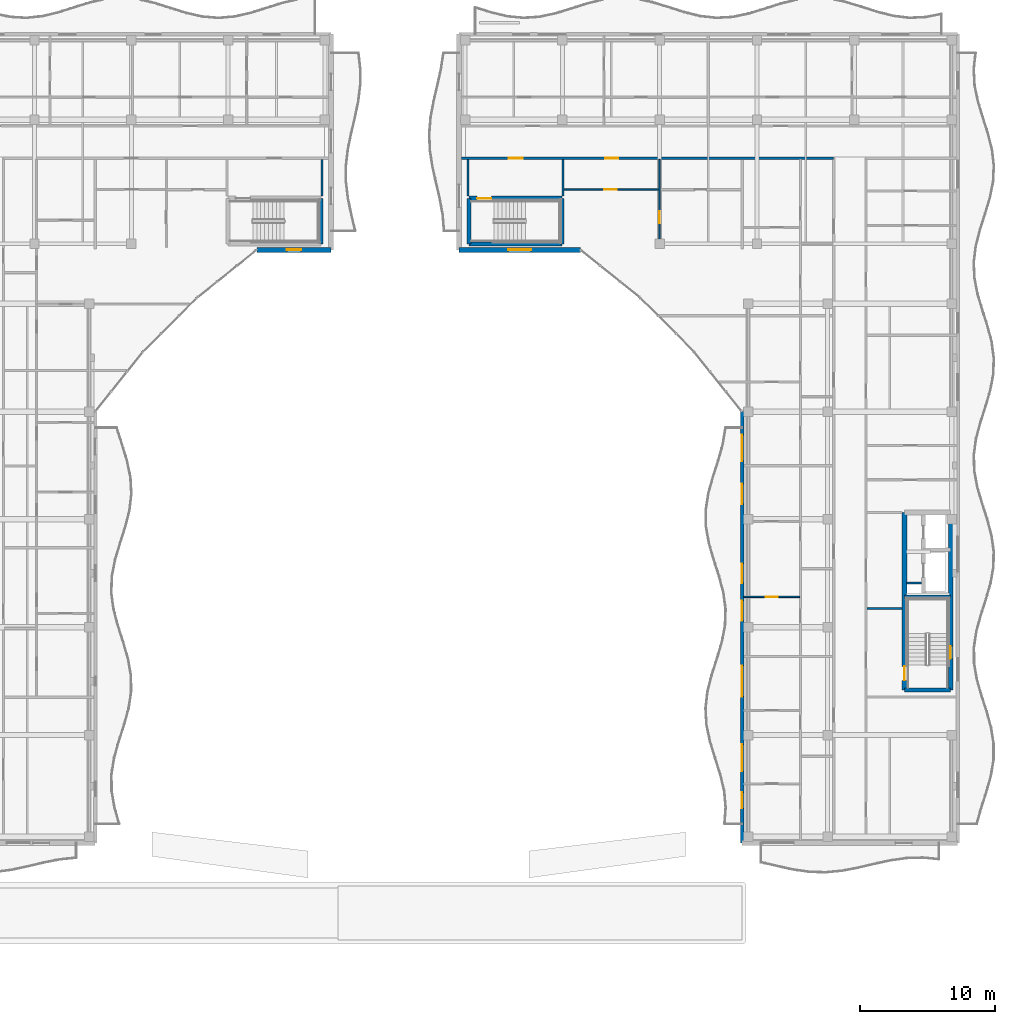
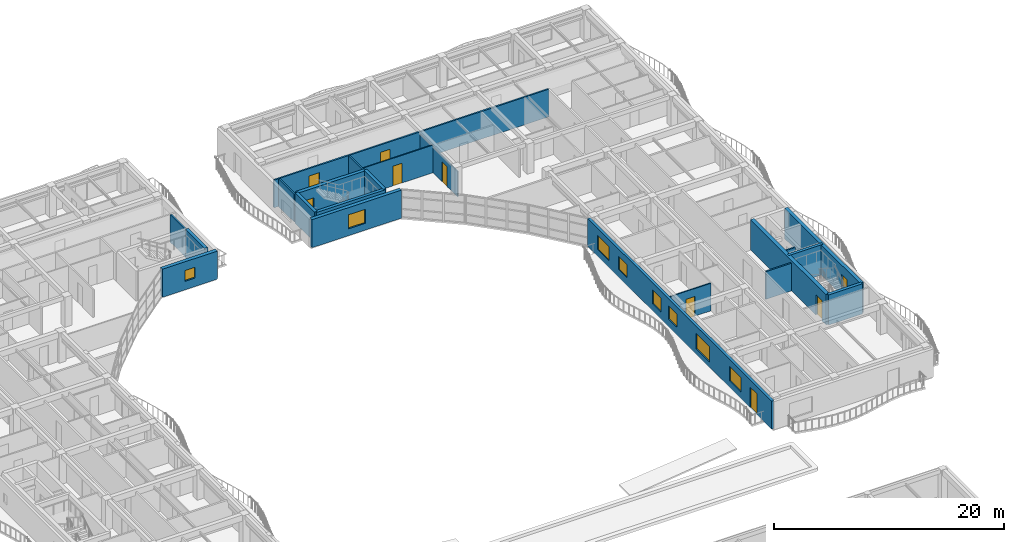
# One storey, part 97 of 128: 21 walls, 9 windows, 8 doors, 17 openings.
"""IFC4 building model written with IfcOpenShell, lengths in metres."""

from ifc_helpers import new_model, si_unit, direction, frame, frame_2d, origin, place, context, subcontext, project, spatial, rectangle, extrude, material, layer, layer_set, type_object, element, fill, save


model = new_model("IFC4")

# Units and contexts
model_context = context("Model", 3, precision=1e-05, world=origin(), true_north=direction((0.0, 1.0)))
body_context = subcontext(model_context, "Body", "Model", "MODEL_VIEW")
ifc_project = project(units=[si_unit("LENGTHUNIT", "METRE"), si_unit("AREAUNIT", "SQUARE_METRE"), si_unit("VOLUMEUNIT", "CUBIC_METRE"), si_unit("PLANEANGLEUNIT", "RADIAN"), si_unit("MASSUNIT", "GRAM", prefix="KILO")], contexts=[model_context])

# Site, building, storey
site_placement = place(None, origin())
site = spatial("IfcSite", under=ifc_project, at=site_placement, CompositionType="ELEMENT")
building_placement = place(site_placement, origin())
building = spatial("IfcBuilding", under=site, at=building_placement, Name="Keldmere Railside Commons", CompositionType="ELEMENT")
storey_placement = place(building_placement, frame((0.0, 0.0, 4.159912109375)))
storey = spatial("IfcBuildingStorey", under=building, at=storey_placement, Name="L01", CompositionType="ELEMENT", Elevation=4.159912109375)

# Wall, opening, door
ifc_material_1 = material(Name="Acoustic Gypsum Board Partition", Category="gypsum")
ifc_layer_1 = layer(ifc_material_1, 0.1201171875, Name="Apartment Interior Partition 120")
ifc_layer_set_1 = layer_set([ifc_layer_1], Name="Acoustic Gypsum Board Partition")
wall_type_1 = type_object("IfcWallType", Name="Apartment Interior Partition 120", PredefinedType="PARTITIONING", material=ifc_layer_set_1)
wall_1_placement = place(storey_placement, frame((168.1298828125, 74.25, 0.0), z_axis=(0.0, 0.0, 1.0), x_axis=(1.0, 0.0, 0.0)))
wall_1 = element("IfcWall", 1, at=wall_1_placement, inside=storey, type_object=wall_type_1, Name="IW-4 IW-L01-1439", PredefinedType="PARTITIONING", context=body_context, shape_type="SweptSolid", body=[
    extrude(rectangle(XDim=4.150146484375, YDim=0.1201171875, at=frame_2d((2.0751953125, 0.0))), origin(), (0.0, 0.0, 1.0), 2.93505859375),
])
opening_1_placement = place(wall_1_placement, frame((1.625, 0.0, 0.0)))
opening_1 = element("IfcOpeningElement", 2, at=opening_1_placement, cuts=wall_1, Name="Opening ID-01", PredefinedType="OPENING", context=body_context, shape_type="SweptSolid", body=[
    extrude(rectangle(XDim=0.89990234375, YDim=2.10009765625, at=frame_2d((0.449951171875, 1.050048828125))), frame((0.0, 0.070068359375, 0.0), z_axis=(0.0, -1.0, 0.0), x_axis=(1.0, 0.0, 0.0)), (0.0, 0.0, 1.0), 0.14013671875),
])
ifc_material_2 = material(Name="Engineered Oak Timber", Category="wood")
door_type_1 = type_object("IfcDoorType", Name="Primary Bedroom Door 900x2100", OperationType="NOTDEFINED", PredefinedType="DOOR", material=ifc_material_2)
door_1_placement = place(opening_1_placement, origin())
door_1 = element("IfcDoor", 3, at=door_1_placement, inside=storey, type_object=door_type_1, Name="ID-01 IDR-L01-1284", OperationType="SINGLE_SWING_RIGHT", OverallHeight=2.10009765625, OverallWidth=0.89990234375, PredefinedType="DOOR", context=body_context, shape_type="SweptSolid", body=[
    extrude(rectangle(XDim=0.89990234375, YDim=2.10009765625, at=frame_2d((0.449951171875, 1.050048828125))), frame((0.0, 0.02490234375, 0.0), z_axis=(0.0, -1.0, 0.0), x_axis=(1.0, 0.0, 0.0)), (0.0, 0.0, 1.0), 0.050048828125),
])
fill(opening_1, door_1)

wall_2_placement = place(storey_placement, frame((161.8798828125, 100.179931640625, 0.0), z_axis=(0.0, 0.0, 1.0), x_axis=(0.0, 1.0, 0.0)))
wall_2 = element("IfcWall", 4, at=wall_2_placement, inside=storey, type_object=wall_type_1, Name="IW-4 IW-L01-1454", PredefinedType="PARTITIONING", context=body_context, shape_type="SweptSolid", body=[
    extrude(rectangle(XDim=6.5400390625, YDim=0.1201171875, at=frame_2d((3.27001953125, 0.0))), origin(), (0.0, 0.0, 1.0), 2.68017578125),
])
opening_2_placement = place(wall_2_placement, frame((1.8017578125, 0.0, 0.0)))
opening_2 = element("IfcOpeningElement", 5, at=opening_2_placement, cuts=wall_2, Name="Opening ID-02", PredefinedType="OPENING", context=body_context, shape_type="SweptSolid", body=[
    extrude(rectangle(XDim=0.8798828125, YDim=2.10009765625, at=frame_2d((0.43994140625, 1.050048828125))), frame((0.0, 0.070068359375, 0.0), z_axis=(0.0, -1.0, 0.0), x_axis=(1.0, 0.0, 0.0)), (0.0, 0.0, 1.0), 0.14013671875),
])
door_type_2 = type_object("IfcDoorType", Name="Secondary Bedroom Door 880x2100", OperationType="NOTDEFINED", PredefinedType="DOOR", material=ifc_material_2)
door_2_placement = place(opening_2_placement, origin())
door_2 = element("IfcDoor", 6, at=door_2_placement, inside=storey, type_object=door_type_2, Name="ID-02 IDR-L01-1306", OperationType="SINGLE_SWING_RIGHT", OverallHeight=2.10009765625, OverallWidth=0.8798828125, PredefinedType="DOOR", context=body_context, shape_type="SweptSolid", body=[
    extrude(rectangle(XDim=0.8798828125, YDim=2.10009765625, at=frame_2d((0.43994140625, 1.050048828125))), frame((0.0, 0.02490234375, 0.0), z_axis=(0.0, -1.0, 0.0), x_axis=(1.0, 0.0, 0.0)), (0.0, 0.0, 1.0), 0.050048828125),
])
fill(opening_2, door_2)

ifc_layer_2 = layer(ifc_material_1, 0.10009765625, Name="Closet Light Partition 100")
ifc_layer_set_2 = layer_set([ifc_layer_2], Name="Acoustic Gypsum Board Partition")
wall_type_2 = type_object("IfcWallType", Name="Closet Light Partition 100", PredefinedType="PARTITIONING", material=ifc_layer_set_2)
wall_3_placement = place(storey_placement, frame((154.800048828125, 104.469970703125, 0.0), z_axis=(0.0, 0.0, 1.0), x_axis=(1.0, 0.0, 0.0)))
wall_3 = element("IfcWall", 7, at=wall_3_placement, inside=storey, type_object=wall_type_2, Name="IW-6 IW-L01-1456", PredefinedType="PARTITIONING", context=body_context, shape_type="SweptSolid", body=[
    extrude(rectangle(XDim=7.02001953125, YDim=0.10009765625, at=frame_2d((3.510009765625, 0.0))), origin(), (0.0, 0.0, 1.0), 2.93505859375),
])
opening_3_placement = place(wall_3_placement, frame((2.9736328125, 0.0, 0.0)))
opening_3 = element("IfcOpeningElement", 8, at=opening_3_placement, cuts=wall_3, Name="Opening ID-03", PredefinedType="OPENING", context=body_context, shape_type="SweptSolid", body=[
    extrude(rectangle(XDim=0.919921875, YDim=2.10009765625, at=frame_2d((0.4599609375, 1.050048828125))), frame((0.0, 0.06005859375, 0.0), z_axis=(0.0, -1.0, 0.0), x_axis=(1.0, 0.0, 0.0)), (0.0, 0.0, 1.0), 0.1201171875),
])
door_type_3 = type_object("IfcDoorType", Name="Kitchen Pocket-Frame Swing Door 920x2100", OperationType="NOTDEFINED", PredefinedType="DOOR", material=ifc_material_2)
door_3_placement = place(opening_3_placement, origin())
door_3 = element("IfcDoor", 9, at=door_3_placement, inside=storey, type_object=door_type_3, Name="ID-03 IDR-L01-1305", OperationType="SINGLE_SWING_LEFT", OverallHeight=2.10009765625, OverallWidth=0.919921875, PredefinedType="DOOR", context=body_context, shape_type="SweptSolid", body=[
    extrude(rectangle(XDim=0.919921875, YDim=2.10009765625, at=frame_2d((0.4599609375, 1.050048828125))), frame((0.0, 0.02490234375, 0.0), z_axis=(0.0, -1.0, 0.0), x_axis=(1.0, 0.0, 0.0)), (0.0, 0.0, 1.0), 0.050048828125),
])
fill(opening_3, door_3)

# Wall
ifc_material_3 = material(Name="Concrete H-35 (C35/45)", Category="concrete")
ifc_layer_3 = layer(ifc_material_3, 0.280029296875, Name="Core Shear Wall 280")
ifc_layer_set_3 = layer_set([ifc_layer_3], Name="Concrete H-35 (C35/45)")
wall_type_3 = type_object("IfcWallType", Name="Core Shear Wall 280", PredefinedType="SHEAR", material=ifc_layer_set_3)
wall_4_placement = place(storey_placement, frame((180.06005859375, 74.239990234375, 0.0), z_axis=(0.0, 0.0, 1.0), x_axis=(1.0, 0.0, 0.0)))
element("IfcWall", 10, at=wall_4_placement, inside=storey, type_object=wall_type_3, Name="CSW-2 COREAM-L01-0724", PredefinedType="SHEAR", context=body_context, shape_type="SweptSolid", body=[
    extrude(rectangle(XDim=3.409912109375, YDim=0.280029296875, at=frame_2d((1.705078125, 0.0))), origin(), (0.0, 0.0, 1.0), 3.2001953125),
])

# Wall, opening, door
ifc_material_4 = material(Name="Concrete H-40 (C40/50)", Category="concrete")
ifc_layer_4 = layer(ifc_material_4, 0.3798828125, Name="Core Shear Wall 380")
ifc_layer_set_4 = layer_set([ifc_layer_4], Name="Concrete H-40 (C40/50)")
wall_type_4 = type_object("IfcWallType", Name="Core Shear Wall 380", PredefinedType="SHEAR", material=ifc_layer_set_4)
wall_5_placement = place(storey_placement, frame((180.06005859375, 67.35009765625, 0.0), z_axis=(0.0, 0.0, 1.0), x_axis=(0.0, 1.0, 0.0)))
wall_5 = element("IfcWall", 11, at=wall_5_placement, inside=storey, type_object=wall_type_4, Name="CW-CORE COREAW-L01-0720", PredefinedType="SHEAR", context=body_context, shape_type="SweptSolid", body=[
    extrude(rectangle(XDim=13.14990234375, YDim=0.3798828125, at=frame_2d((6.574951171875, 0.0))), origin(), (0.0, 0.0, 1.0), 3.2001953125),
])
opening_4_placement = place(wall_5_placement, frame((0.699951171875, 0.0, 0.0)))
opening_4 = element("IfcOpeningElement", 12, at=opening_4_placement, cuts=wall_5, Name="Opening FD-1", PredefinedType="OPENING", context=body_context, shape_type="SweptSolid", body=[
    extrude(rectangle(XDim=1.050048828125, YDim=2.14990234375, at=frame_2d((0.52490234375, 1.074951171875))), frame((0.0, 0.199951171875, 0.0), z_axis=(0.0, -1.0, 0.0), x_axis=(1.0, 0.0, 0.0)), (0.0, 0.0, 1.0), 0.39990234375),
])
ifc_material_5 = material(Name="Steel F-24 (S235)", Category="steel")
door_type_4 = type_object("IfcDoorType", Name="Stair Core Fire Door 1050x2150", OperationType="NOTDEFINED", PredefinedType="DOOR", material=ifc_material_5)
door_4_placement = place(opening_4_placement, origin())
door_4 = element("IfcDoor", 13, at=door_4_placement, inside=storey, type_object=door_type_4, Name="FD-1 A1 L01", OperationType="SINGLE_SWING_LEFT", OverallHeight=2.14990234375, OverallWidth=1.050048828125, PredefinedType="DOOR", context=body_context, shape_type="SweptSolid", body=[
    extrude(rectangle(XDim=1.050048828125, YDim=2.14990234375, at=frame_2d((0.52490234375, 1.074951171875))), frame((0.0, 0.02490234375, 0.0), z_axis=(0.0, -1.0, 0.0), x_axis=(1.0, 0.0, 0.0)), (0.0, 0.0, 1.0), 0.050048828125),
])
fill(opening_4, door_4)

# Wall, openings, doors
ifc_layer_5 = layer(ifc_material_1, 0.159912109375, Name="Corridor Fire Partition 160")
ifc_layer_set_5 = layer_set([ifc_layer_5], Name="Acoustic Gypsum Board Partition")
wall_type_5 = type_object("IfcWallType", Name="Corridor Fire Partition 160", PredefinedType="PARTITIONING", material=ifc_layer_set_5)
wall_6_placement = place(storey_placement, frame((147.179931640625, 106.800048828125, 0.0), z_axis=(0.0, 0.0, 1.0), x_axis=(1.0, 0.0, 0.0)))
wall_6 = element("IfcWall", 14, at=wall_6_placement, inside=storey, type_object=wall_type_5, Name="IW-2 IW-L01-1424", PredefinedType="PARTITIONING", context=body_context, shape_type="SweptSolid", body=[
    extrude(rectangle(XDim=27.6201171875, YDim=0.159912109375, at=frame_2d((13.81005859375, 0.0))), origin(), (0.0, 0.0, 1.0), 2.93505859375),
])
opening_5_placement = place(wall_6_placement, frame((3.4951171875, 0.0, 0.0)))
opening_5 = element("IfcOpeningElement", 15, at=opening_5_placement, cuts=wall_6, Name="Opening FD-1", PredefinedType="OPENING", context=body_context, shape_type="SweptSolid", body=[
    extrude(rectangle(XDim=1.050048828125, YDim=2.14990234375, at=frame_2d((0.52490234375, 1.074951171875))), frame((0.0, 0.08984375, 0.0), z_axis=(0.0, -1.0, 0.0), x_axis=(1.0, 0.0, 0.0)), (0.0, 0.0, 1.0), 0.179931640625),
])
opening_6_placement = place(wall_6_placement, frame((10.669921875, 0.0, 0.0)))
opening_6 = element("IfcOpeningElement", 16, at=opening_6_placement, cuts=wall_6, Name="Opening FD-7", PredefinedType="OPENING", context=body_context, shape_type="SweptSolid", body=[
    extrude(rectangle(XDim=0.97998046875, YDim=2.14990234375, at=frame_2d((0.489990234375, 1.074951171875))), frame((0.0, 0.08984375, 0.0), z_axis=(0.0, -1.0, 0.0), x_axis=(1.0, 0.0, 0.0)), (0.0, 0.0, 1.0), 0.179931640625),
])
door_type_5 = type_object("IfcDoorType", Name="Apartment Entrance Acoustic Fire Door 980x2150", OperationType="NOTDEFINED", PredefinedType="DOOR", material=ifc_material_2)
door_5_placement = place(opening_6_placement, origin())
door_5 = element("IfcDoor", 17, at=door_5_placement, inside=storey, type_object=door_type_5, Name="FD-7 IDR-L01-1304", OperationType="SINGLE_SWING_RIGHT", OverallHeight=2.14990234375, OverallWidth=0.97998046875, PredefinedType="DOOR", context=body_context, shape_type="SweptSolid", body=[
    extrude(rectangle(XDim=0.97998046875, YDim=2.14990234375, at=frame_2d((0.489990234375, 1.074951171875))), frame((0.0, 0.02490234375, 0.0), z_axis=(0.0, -1.0, 0.0), x_axis=(1.0, 0.0, 0.0)), (0.0, 0.0, 1.0), 0.050048828125),
])
fill(opening_6, door_5)
door_6_placement = place(opening_5_placement, origin())
door_6 = element("IfcDoor", 18, at=door_6_placement, inside=storey, type_object=door_type_4, Name="FD-1 IDR-L01-1273", OperationType="SINGLE_SWING_LEFT", OverallHeight=2.14990234375, OverallWidth=1.050048828125, PredefinedType="DOOR", context=body_context, shape_type="SweptSolid", body=[
    extrude(rectangle(XDim=1.050048828125, YDim=2.14990234375, at=frame_2d((0.52490234375, 1.074951171875))), frame((0.0, 0.02490234375, 0.0), z_axis=(0.0, -1.0, 0.0), x_axis=(1.0, 0.0, 0.0)), (0.0, 0.0, 1.0), 0.050048828125),
])
fill(opening_5, door_6)

# Wall, opening, window
ifc_layer_6 = layer(ifc_material_3, 0.360107421875, Name="Exterior Shear Wall 360")
ifc_layer_set_6 = layer_set([ifc_layer_6], Name="Concrete H-35 (C35/45)")
wall_type_6 = type_object("IfcWallType", Name="Exterior Shear Wall 360", PredefinedType="SHEAR", material=ifc_layer_set_6)
wall_7_placement = place(storey_placement, frame((137.5, 100.0, 0.0), z_axis=(0.0, 0.0, 1.0), x_axis=(-1.0, 0.0, 0.0)))
wall_7 = element("IfcWall", 19, at=wall_7_placement, inside=storey, type_object=wall_type_6, Name="ESW-1 EXTB-L01-0586", PredefinedType="SHEAR", context=body_context, shape_type="SweptSolid", body=[
    extrude(rectangle(XDim=5.5, YDim=0.360107421875, at=frame_2d((2.75, 0.0))), origin(), (0.0, 0.0, 1.0), 2.97998046875),
])
opening_7_placement = place(wall_7_placement, frame((2.22509765625, 0.0, 0.89990234375)))
opening_7 = element("IfcOpeningElement", 20, at=opening_7_placement, cuts=wall_7, Name="Opening WN-13", PredefinedType="OPENING", context=body_context, shape_type="SweptSolid", body=[
    extrude(rectangle(XDim=1.050048828125, YDim=1.14990234375, at=frame_2d((0.52490234375, 0.574951171875))), frame((0.0, 0.18994140625, 0.0), z_axis=(0.0, -1.0, 0.0), x_axis=(1.0, 0.0, 0.0)), (0.0, 0.0, 1.0), 0.380126953125),
])
ifc_material_6 = material(Name="Low-E Insulated Double Glazing", Category="glass")
window_type_1 = type_object("IfcWindowType", Name="Apartment Kitchen Casement Window 1050x1150", PartitioningType="SINGLE_PANEL", PredefinedType="WINDOW", material=ifc_material_6)
window_1_placement = place(opening_7_placement, origin())
window_1 = element("IfcWindow", 21, at=window_1_placement, inside=storey, type_object=window_type_1, Name="WN-13 WIN-L01-0369", OverallHeight=1.14990234375, OverallWidth=1.050048828125, PartitioningType="SINGLE_PANEL", PredefinedType="WINDOW", context=body_context, shape_type="SweptSolid", body=[
    extrude(rectangle(XDim=1.050048828125, YDim=1.14990234375, at=frame_2d((0.52490234375, 0.574951171875))), frame((0.0, 0.030029296875, 0.0), z_axis=(0.0, -1.0, 0.0), x_axis=(1.0, 0.0, 0.0)), (0.0, 0.0, 1.0), 0.06005859375),
])
fill(opening_7, window_1)

wall_8_placement = place(storey_placement, frame((156.0, 100.0, 0.0), z_axis=(0.0, 0.0, 1.0), x_axis=(-1.0, 0.0, 0.0)))
wall_8 = element("IfcWall", 22, at=wall_8_placement, inside=storey, type_object=wall_type_6, Name="ESW-1 EXTA-L01-0886", PredefinedType="SHEAR", context=body_context, shape_type="SweptSolid", body=[
    extrude(rectangle(XDim=9.0, YDim=0.360107421875, at=frame_2d((4.5, 0.0))), origin(), (0.0, 0.0, 1.0), 2.97998046875),
])
opening_8_placement = place(wall_8_placement, frame((3.64990234375, 0.0, 0.719970703125)))
opening_8 = element("IfcOpeningElement", 23, at=opening_8_placement, cuts=wall_8, Name="Opening WN-20", PredefinedType="OPENING", context=body_context, shape_type="SweptSolid", body=[
    extrude(rectangle(XDim=1.699951171875, YDim=1.5, at=frame_2d((0.85009765625, 0.75))), frame((0.0, 0.18994140625, 0.0), z_axis=(0.0, -1.0, 0.0), x_axis=(1.0, 0.0, 0.0)), (0.0, 0.0, 1.0), 0.380126953125),
])
window_type_2 = type_object("IfcWindowType", Name="Study Room Quiet Casement Window 1700x1500", PartitioningType="SINGLE_PANEL", PredefinedType="WINDOW", material=ifc_material_6)
window_2_placement = place(opening_8_placement, origin())
window_2 = element("IfcWindow", 24, at=window_2_placement, inside=storey, type_object=window_type_2, Name="WN-20 WIN-L01-0598", OverallHeight=1.5, OverallWidth=1.699951171875, PartitioningType="SINGLE_PANEL", PredefinedType="WINDOW", context=body_context, shape_type="SweptSolid", body=[
    extrude(rectangle(XDim=1.699951171875, YDim=1.5, at=frame_2d((0.85009765625, 0.75))), frame((0.0, 0.030029296875, 0.0), z_axis=(0.0, -1.0, 0.0), x_axis=(1.0, 0.0, 0.0)), (0.0, 0.0, 1.0), 0.06005859375),
])
fill(opening_8, window_2)

# Walls
ifc_layer_7 = layer(ifc_material_3, 0.300048828125, Name="Interior Shear Wall 300")
ifc_layer_set_7 = layer_set([ifc_layer_7], Name="Concrete H-35 (C35/45)")
wall_type_7 = type_object("IfcWallType", Name="Interior Shear Wall 300", PredefinedType="SHEAR", material=ifc_layer_set_7)
wall_9_placement = place(storey_placement, frame((136.75, 100.449951171875, 0.0), z_axis=(0.0, 0.0, 1.0), x_axis=(0.0, 1.0, 0.0)))
element("IfcWall", 25, at=wall_9_placement, inside=storey, type_object=wall_type_7, Name="ISW-2 COREB2E-L01-0455", PredefinedType="SHEAR", context=body_context, shape_type="SweptSolid", body=[
    extrude(rectangle(XDim=3.3701171875, YDim=0.300048828125, at=frame_2d((1.68505859375, 0.0))), origin(), (0.0, 0.0, 1.0), 3.2001953125),
])
wall_10_placement = place(storey_placement, frame((183.469970703125, 67.35009765625, 0.0), z_axis=(0.0, 0.0, 1.0), x_axis=(-1.0, 0.0, 0.0)))
element("IfcWall", 26, at=wall_10_placement, inside=storey, type_object=wall_type_7, Name="ISW-2 COREAS-L01-0723", PredefinedType="SHEAR", context=body_context, shape_type="SweptSolid", body=[
    extrude(rectangle(XDim=3.409912109375, YDim=0.300048828125, at=frame_2d((1.705078125, 0.0))), origin(), (0.0, 0.0, 1.0), 3.2001953125),
])
wall_11_placement = place(storey_placement, frame((147.75, 100.449951171875, 0.0), z_axis=(0.0, 0.0, 1.0), x_axis=(1.0, 0.0, 0.0)))
element("IfcWall", 27, at=wall_11_placement, inside=storey, type_object=wall_type_7, Name="ISW-2 COREA2S-L01-0728", PredefinedType="SHEAR", context=body_context, shape_type="SweptSolid", body=[
    extrude(rectangle(XDim=6.89990234375, YDim=0.300048828125, at=frame_2d((3.449951171875, 0.0))), origin(), (0.0, 0.0, 1.0), 3.2001953125),
])
for number, where, z_axis, x_axis, name in (
    (28, (147.75, 103.820068359375, 0.0), (0.0, 0.0, 1.0), (0.0, -1.0, 0.0), "ISW-2 COREA2W-L01-0730"),
    (29, (154.64990234375, 100.449951171875, 0.0), (0.0, 0.0, 1.0), (0.0, 1.0, 0.0), "ISW-2 COREA2E-L01-0731"),
):
    element("IfcWall", number, at=place(storey_placement, frame(where, z_axis=z_axis, x_axis=x_axis)), inside=storey, type_object=wall_type_7, Name=name, PredefinedType="SHEAR", context=body_context, shape_type="SweptSolid", body=[
        extrude(rectangle(XDim=3.3701171875, YDim=0.300048828125, at=frame_2d((1.68505859375, 0.0))), origin(), (0.0, 0.0, 1.0), 3.2001953125),
    ])

# Wall, opening, window
ifc_layer_8 = layer(ifc_material_3, 0.340087890625, Name="Interior Shear Wall 340")
ifc_layer_set_8 = layer_set([ifc_layer_8], Name="Concrete H-35 (C35/45)")
wall_type_8 = type_object("IfcWallType", Name="Interior Shear Wall 340", PredefinedType="SHEAR", material=ifc_layer_set_8)
wall_12_placement = place(storey_placement, frame((183.469970703125, 80.5, 0.0), z_axis=(0.0, 0.0, 1.0), x_axis=(0.0, -1.0, 0.0)))
wall_12 = element("IfcWall", 30, at=wall_12_placement, inside=storey, type_object=wall_type_8, Name="ISW-1 COREAE-L01-0722", PredefinedType="SHEAR", context=body_context, shape_type="SweptSolid", body=[
    extrude(rectangle(XDim=13.14990234375, YDim=0.340087890625, at=frame_2d((6.574951171875, 0.0))), origin(), (0.0, 0.0, 1.0), 3.2001953125),
])
opening_9_placement = place(wall_12_placement, frame((9.89990234375, 0.0, 0.969970703125)))
opening_9 = element("IfcOpeningElement", 31, at=opening_9_placement, cuts=wall_12, Name="Opening WN-17", PredefinedType="OPENING", context=body_context, shape_type="SweptSolid", body=[
    extrude(rectangle(XDim=0.949951171875, YDim=1.25, at=frame_2d((0.47509765625, 0.625))), frame((0.0, 0.179931640625, 0.0), z_axis=(0.0, -1.0, 0.0), x_axis=(1.0, 0.0, 0.0)), (0.0, 0.0, 1.0), 0.360107421875),
])
window_type_3 = type_object("IfcWindowType", Name="Stair Core Natural Smoke-Vent Window 950x1250", PartitioningType="SINGLE_PANEL", PredefinedType="WINDOW", material=ifc_material_6)
window_3_placement = place(opening_9_placement, origin())
window_3 = element("IfcWindow", 32, at=window_3_placement, inside=storey, type_object=window_type_3, Name="WN-17 WIN-L01-0557", OverallHeight=1.25, OverallWidth=0.949951171875, PartitioningType="SINGLE_PANEL", PredefinedType="WINDOW", context=body_context, shape_type="SweptSolid", body=[
    extrude(rectangle(XDim=0.949951171875, YDim=1.25, at=frame_2d((0.47509765625, 0.625))), frame((0.0, 0.030029296875, 0.0), z_axis=(0.0, -1.0, 0.0), x_axis=(1.0, 0.0, 0.0)), (0.0, 0.0, 1.0), 0.06005859375),
])
fill(opening_9, window_3)

# Wall, opening, door
wall_13_placement = place(storey_placement, frame((154.64990234375, 103.820068359375, 0.0), z_axis=(0.0, 0.0, 1.0), x_axis=(-1.0, 0.0, 0.0)))
wall_13 = element("IfcWall", 33, at=wall_13_placement, inside=storey, type_object=wall_type_8, Name="ISW-1 COREA2N-L01-0729", PredefinedType="SHEAR", context=body_context, shape_type="SweptSolid", body=[
    extrude(rectangle(XDim=6.89990234375, YDim=0.340087890625, at=frame_2d((3.449951171875, 0.0))), origin(), (0.0, 0.0, 1.0), 3.2001953125),
])
opening_10_placement = place(wall_13_placement, frame((5.25, 0.0, 0.0)))
opening_10 = element("IfcOpeningElement", 34, at=opening_10_placement, cuts=wall_13, Name="Opening FD-1", PredefinedType="OPENING", context=body_context, shape_type="SweptSolid", body=[
    extrude(rectangle(XDim=1.050048828125, YDim=2.14990234375, at=frame_2d((0.52490234375, 1.074951171875))), frame((0.0, 0.179931640625, 0.0), z_axis=(0.0, -1.0, 0.0), x_axis=(1.0, 0.0, 0.0)), (0.0, 0.0, 1.0), 0.360107421875),
])
door_7_placement = place(opening_10_placement, origin())
door_7 = element("IfcDoor", 35, at=door_7_placement, inside=storey, type_object=door_type_4, Name="FD-1 A2 L01", OperationType="SINGLE_SWING_RIGHT", OverallHeight=2.14990234375, OverallWidth=1.050048828125, PredefinedType="DOOR", context=body_context, shape_type="SweptSolid", body=[
    extrude(rectangle(XDim=1.050048828125, YDim=2.14990234375, at=frame_2d((0.52490234375, 1.074951171875))), frame((0.0, 0.02490234375, 0.0), z_axis=(0.0, -1.0, 0.0), x_axis=(1.0, 0.0, 0.0)), (0.0, 0.0, 1.0), 0.050048828125),
])
fill(opening_10, door_7)

# Walls
ifc_layer_9 = layer(ifc_material_1, 0.14990234375, Name="Lobby Rated Partition 150")
ifc_layer_set_9 = layer_set([ifc_layer_9], Name="Acoustic Gypsum Board Partition")
wall_type_9 = type_object("IfcWallType", Name="Lobby Rated Partition 150", PredefinedType="PARTITIONING", material=ifc_layer_set_9)
wall_14_placement = place(storey_placement, frame((180.199951171875, 75.280029296875, 0.0), z_axis=(0.0, 0.0, 1.0), x_axis=(1.0, 0.0, 0.0)))
element("IfcWall", 36, at=wall_14_placement, inside=storey, type_object=wall_type_9, Name="IW-3 RSRNA-L01-0727", PredefinedType="PARTITIONING", context=body_context, shape_type="SweptSolid", body=[
    extrude(rectangle(XDim=1.130126953125, YDim=0.14990234375, at=frame_2d((0.56494140625, 0.0))), origin(), (0.0, 0.0, 1.0), 2.9501953125),
])
wall_15_placement = place(storey_placement, frame((136.820068359375, 103.989990234375, 0.0), z_axis=(0.0, 0.0, 1.0), x_axis=(0.0, 1.0, 0.0)))
element("IfcWall", 37, at=wall_15_placement, inside=storey, type_object=wall_type_9, Name="IW-3 IW-L01-0928", PredefinedType="PARTITIONING", context=body_context, shape_type="SweptSolid", body=[
    extrude(rectangle(XDim=2.72998046875, YDim=0.14990234375, at=frame_2d((1.364990234375, 0.0))), origin(), (0.0, 0.0, 1.0), 2.93505859375),
])
wall_16_placement = place(storey_placement, frame((177.280029296875, 73.3798828125, 0.0), z_axis=(0.0, 0.0, 1.0), x_axis=(1.0, 0.0, 0.0)))
element("IfcWall", 38, at=wall_16_placement, inside=storey, type_object=wall_type_9, Name="IW-3 IW-L01-1420", PredefinedType="PARTITIONING", context=body_context, shape_type="SweptSolid", body=[
    extrude(rectangle(XDim=2.590087890625, YDim=0.14990234375, at=frame_2d((1.294921875, 0.0))), origin(), (0.0, 0.0, 1.0), 2.93505859375),
])
for number, where, z_axis, x_axis, name in (
    (39, (147.679931640625, 103.989990234375, 0.0), (0.0, 0.0, 1.0), (0.0, 1.0, 0.0), "IW-3 IW-L01-1428"),
    (40, (154.719970703125, 103.989990234375, 0.0), (0.0, 0.0, 1.0), (0.0, 1.0, 0.0), "IW-3 IW-L01-1429"),
):
    element("IfcWall", number, at=place(storey_placement, frame(where, z_axis=z_axis, x_axis=x_axis)), inside=storey, type_object=wall_type_9, Name=name, PredefinedType="PARTITIONING", context=body_context, shape_type="SweptSolid", body=[
        extrude(rectangle(XDim=2.72998046875, YDim=0.14990234375, at=frame_2d((1.364990234375, 0.0))), origin(), (0.0, 0.0, 1.0), 2.93505859375),
    ])

# Wall, openings, windows, door
ifc_material_7 = material(Name="Terracotta Brick Masonry", Category="masonry")
ifc_layer_10 = layer(ifc_material_7, 0.260009765625, Name="Terracotta Cavity Wall 260")
ifc_layer_set_10 = layer_set([ifc_layer_10], Name="Terracotta Brick Masonry")
wall_type_10 = type_object("IfcWallType", Name="Terracotta Cavity Wall 260", PredefinedType="SOLIDWALL", material=ifc_layer_set_10)
wall_17_placement = place(storey_placement, frame((168.0, 56.0, 0.0), z_axis=(0.0, 0.0, 1.0), x_axis=(0.0, 1.0, 0.0)))
wall_17 = element("IfcWall", 41, at=wall_17_placement, inside=storey, type_object=wall_type_10, Name="EW-1 EXTA-L01-0887", PredefinedType="SOLIDWALL", context=body_context, shape_type="SweptSolid", body=[
    extrude(rectangle(XDim=32.0, YDim=0.260009765625, at=frame_2d((16.0, 0.0))), origin(), (0.0, 0.0, 1.0), 2.97998046875),
])
opening_11_placement = place(wall_17_placement, frame((2.550048828125, 0.0, 0.0)))
opening_11 = element("IfcOpeningElement", 42, at=opening_11_placement, cuts=wall_17, Name="Opening BD-01", PredefinedType="OPENING", context=body_context, shape_type="SweptSolid", body=[
    extrude(rectangle(XDim=1.199951171875, YDim=2.199951171875, at=frame_2d((0.60009765625, 1.10009765625))), frame((0.0, 0.139892578125, 0.0), z_axis=(0.0, -1.0, 0.0), x_axis=(1.0, 0.0, 0.0)), (0.0, 0.0, 1.0), 0.280029296875),
])
opening_12_placement = place(wall_17_placement, frame((5.300048828125, 0.0, 0.719970703125)))
opening_12 = element("IfcOpeningElement", 43, at=opening_12_placement, cuts=wall_17, Name="Opening WN-02", PredefinedType="OPENING", context=body_context, shape_type="SweptSolid", body=[
    extrude(rectangle(XDim=2.0, YDim=1.5, at=frame_2d((1.0, 0.75))), frame((0.0, 0.139892578125, 0.0), z_axis=(0.0, -1.0, 0.0), x_axis=(1.0, 0.0, 0.0)), (0.0, 0.0, 1.0), 0.280029296875),
])
opening_13_placement = place(wall_17_placement, frame((10.85009765625, 0.0, 0.570068359375)))
opening_13 = element("IfcOpeningElement", 44, at=opening_13_placement, cuts=wall_17, Name="Opening WN-23", PredefinedType="OPENING", context=body_context, shape_type="SweptSolid", body=[
    extrude(rectangle(XDim=2.300048828125, YDim=1.64990234375, at=frame_2d((1.14990234375, 0.824951171875))), frame((0.0, 0.139892578125, 0.0), z_axis=(0.0, -1.0, 0.0), x_axis=(1.0, 0.0, 0.0)), (0.0, 0.0, 1.0), 0.280029296875),
])
opening_14_placement = place(wall_17_placement, frame((19.27490234375, 0.0, 0.77001953125)))
opening_14 = element("IfcOpeningElement", 45, at=opening_14_placement, cuts=wall_17, Name="Opening WN-24", PredefinedType="OPENING", context=body_context, shape_type="SweptSolid", body=[
    extrude(rectangle(XDim=1.449951171875, YDim=1.449951171875, at=frame_2d((0.72509765625, 0.72509765625))), frame((0.0, 0.139892578125, 0.0), z_axis=(0.0, -1.0, 0.0), x_axis=(1.0, 0.0, 0.0)), (0.0, 0.0, 1.0), 0.280029296875),
])
opening_15_placement = place(wall_17_placement, frame((28.324951171875, 0.0, 0.719970703125)))
opening_15 = element("IfcOpeningElement", 46, at=opening_15_placement, cuts=wall_17, Name="Opening WN-38", PredefinedType="OPENING", context=body_context, shape_type="SweptSolid", body=[
    extrude(rectangle(XDim=1.949951171875, YDim=1.5, at=frame_2d((0.97509765625, 0.75))), frame((0.0, 0.139892578125, 0.0), z_axis=(0.0, -1.0, 0.0), x_axis=(1.0, 0.0, 0.0)), (0.0, 0.0, 1.0), 0.280029296875),
])
opening_16_placement = place(wall_17_placement, frame((16.479248046875, 0.0, 0.820068359375)))
opening_16 = element("IfcOpeningElement", 47, at=opening_16_placement, cuts=wall_17, Name="Opening WN-06", PredefinedType="OPENING", context=body_context, shape_type="SweptSolid", body=[
    extrude(rectangle(XDim=1.5, YDim=1.39990234375, at=frame_2d((0.75, 0.699951171875))), frame((0.0, 0.139892578125, 0.0), z_axis=(0.0, -1.0, 0.0), x_axis=(1.0, 0.0, 0.0)), (0.0, 0.0, 1.0), 0.280029296875),
])
opening_17_placement = place(wall_17_placement, frame((25.139892578125, 0.0, 0.820068359375)))
opening_17 = element("IfcOpeningElement", 48, at=opening_17_placement, cuts=wall_17, Name="Opening WN-06", PredefinedType="OPENING", context=body_context, shape_type="SweptSolid", body=[
    extrude(rectangle(XDim=1.5, YDim=1.39990234375, at=frame_2d((0.75, 0.699951171875))), frame((0.0, 0.139892578125, 0.0), z_axis=(0.0, -1.0, 0.0), x_axis=(1.0, 0.0, 0.0)), (0.0, 0.0, 1.0), 0.280029296875),
])
window_type_4 = type_object("IfcWindowType", Name="Adaptable Apartment Wide Window 1950x1500", PartitioningType="SINGLE_PANEL", PredefinedType="WINDOW", material=ifc_material_6)
window_4_placement = place(opening_15_placement, origin())
window_4 = element("IfcWindow", 49, at=window_4_placement, inside=storey, type_object=window_type_4, Name="WN-38 WIN-L01-0602", OverallHeight=1.5, OverallWidth=1.949951171875, PartitioningType="SINGLE_PANEL", PredefinedType="WINDOW", context=body_context, shape_type="SweptSolid", body=[
    extrude(rectangle(XDim=1.949951171875, YDim=1.5, at=frame_2d((0.97509765625, 0.75))), frame((0.0, 0.030029296875, 0.0), z_axis=(0.0, -1.0, 0.0), x_axis=(1.0, 0.0, 0.0)), (0.0, 0.0, 1.0), 0.06005859375),
])
fill(opening_15, window_4)
ifc_material_8 = material(Name="Thermally Broken Aluminium", Category="aluminium")
door_type_6 = type_object("IfcDoorType", Name="Apartment Living Wave-Balcony Glazed Door 1200x2200", OperationType="NOTDEFINED", PredefinedType="DOOR", material=ifc_material_8)
door_8_placement = place(opening_11_placement, origin())
door_8 = element("IfcDoor", 50, at=door_8_placement, inside=storey, type_object=door_type_6, Name="BD-01 DR-L01-0225", OperationType="SINGLE_SWING_LEFT", OverallHeight=2.199951171875, OverallWidth=1.199951171875, PredefinedType="DOOR", context=body_context, shape_type="SweptSolid", body=[
    extrude(rectangle(XDim=1.199951171875, YDim=2.199951171875, at=frame_2d((0.60009765625, 1.10009765625))), frame((0.0, 0.02490234375, 0.0), z_axis=(0.0, -1.0, 0.0), x_axis=(1.0, 0.0, 0.0)), (0.0, 0.0, 1.0), 0.050048828125),
])
fill(opening_11, door_8)
window_type_5 = type_object("IfcWindowType", Name="Living Room South Casement Window 2000x1500", PartitioningType="SINGLE_PANEL", PredefinedType="WINDOW", material=ifc_material_6)
window_5_placement = place(opening_12_placement, origin())
window_5 = element("IfcWindow", 51, at=window_5_placement, inside=storey, type_object=window_type_5, Name="WN-02 WIN-L01-0599", OverallHeight=1.5, OverallWidth=2.0, PartitioningType="SINGLE_PANEL", PredefinedType="WINDOW", context=body_context, shape_type="SweptSolid", body=[
    extrude(rectangle(XDim=2.0, YDim=1.5, at=frame_2d((1.0, 0.75))), frame((0.0, 0.030029296875, 0.0), z_axis=(0.0, -1.0, 0.0), x_axis=(1.0, 0.0, 0.0)), (0.0, 0.0, 1.0), 0.06005859375),
])
fill(opening_12, window_5)
window_type_6 = type_object("IfcWindowType", Name="Primary Bedroom North Window 1500x1400", PartitioningType="SINGLE_PANEL", PredefinedType="WINDOW", material=ifc_material_6)
window_6_placement = place(opening_16_placement, origin())
window_6 = element("IfcWindow", 52, at=window_6_placement, inside=storey, type_object=window_type_6, Name="WN-06 WIN-L01-9008", OverallHeight=1.39990234375, OverallWidth=1.5, PartitioningType="SINGLE_PANEL", PredefinedType="WINDOW", context=body_context, shape_type="SweptSolid", body=[
    extrude(rectangle(XDim=1.5, YDim=1.39990234375, at=frame_2d((0.75, 0.699951171875))), frame((0.0, 0.030029296875, 0.0), z_axis=(0.0, -1.0, 0.0), x_axis=(1.0, 0.0, 0.0)), (0.0, 0.0, 1.0), 0.06005859375),
])
fill(opening_16, window_6)
window_7_placement = place(opening_17_placement, origin())
window_7 = element("IfcWindow", 53, at=window_7_placement, inside=storey, type_object=window_type_6, Name="WN-06 WIN-L01-9009", OverallHeight=1.39990234375, OverallWidth=1.5, PartitioningType="SINGLE_PANEL", PredefinedType="WINDOW", context=body_context, shape_type="SweptSolid", body=[
    extrude(rectangle(XDim=1.5, YDim=1.39990234375, at=frame_2d((0.75, 0.699951171875))), frame((0.0, 0.030029296875, 0.0), z_axis=(0.0, -1.0, 0.0), x_axis=(1.0, 0.0, 0.0)), (0.0, 0.0, 1.0), 0.06005859375),
])
fill(opening_17, window_7)
window_type_7 = type_object("IfcWindowType", Name="Setback Terrace Bedroom Window 1450x1450", PartitioningType="SINGLE_PANEL", PredefinedType="WINDOW", material=ifc_material_6)
window_8_placement = place(opening_14_placement, origin())
window_8 = element("IfcWindow", 54, at=window_8_placement, inside=storey, type_object=window_type_7, Name="WN-24 WIN-L01-0601", OverallHeight=1.449951171875, OverallWidth=1.449951171875, PartitioningType="SINGLE_PANEL", PredefinedType="WINDOW", context=body_context, shape_type="SweptSolid", body=[
    extrude(rectangle(XDim=1.449951171875, YDim=1.449951171875, at=frame_2d((0.72509765625, 0.72509765625))), frame((0.0, 0.030029296875, 0.0), z_axis=(0.0, -1.0, 0.0), x_axis=(1.0, 0.0, 0.0)), (0.0, 0.0, 1.0), 0.06005859375),
])
fill(opening_14, window_8)
window_type_8 = type_object("IfcWindowType", Name="Setback Terrace Penthouse Window 2300x1650", PartitioningType="SINGLE_PANEL", PredefinedType="WINDOW", material=ifc_material_6)
window_9_placement = place(opening_13_placement, origin())
window_9 = element("IfcWindow", 55, at=window_9_placement, inside=storey, type_object=window_type_8, Name="WN-23 WIN-L01-0600", OverallHeight=1.64990234375, OverallWidth=2.300048828125, PartitioningType="SINGLE_PANEL", PredefinedType="WINDOW", context=body_context, shape_type="SweptSolid", body=[
    extrude(rectangle(XDim=2.300048828125, YDim=1.64990234375, at=frame_2d((1.14990234375, 0.824951171875))), frame((0.0, 0.030029296875, 0.0), z_axis=(0.0, -1.0, 0.0), x_axis=(1.0, 0.0, 0.0)), (0.0, 0.0, 1.0), 0.06005859375),
])
fill(opening_13, window_9)

save(model, "model.ifc")
